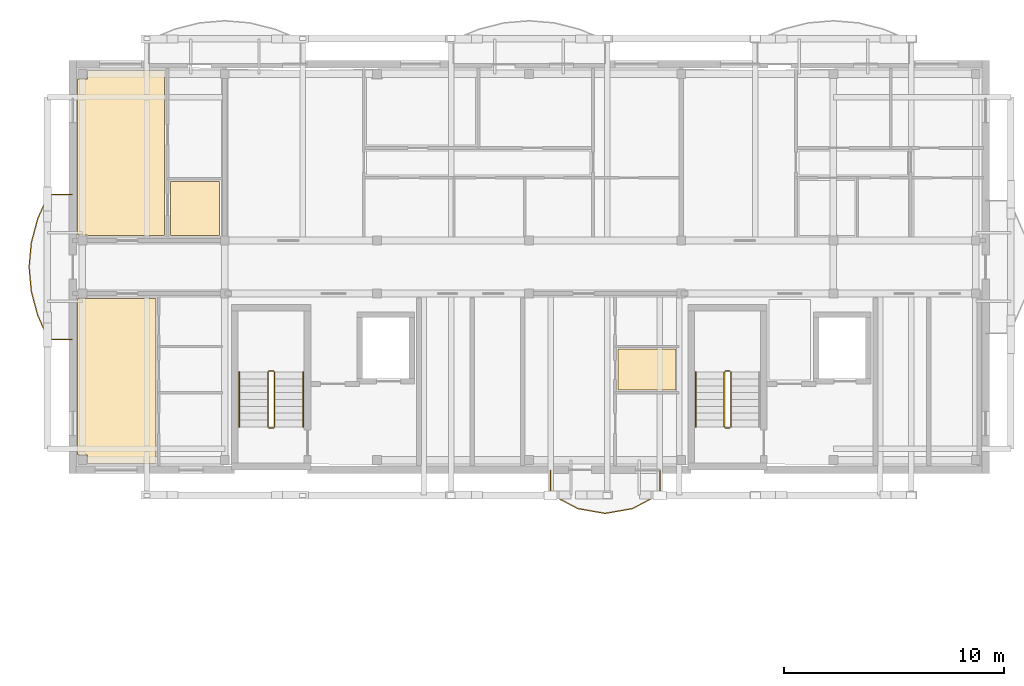
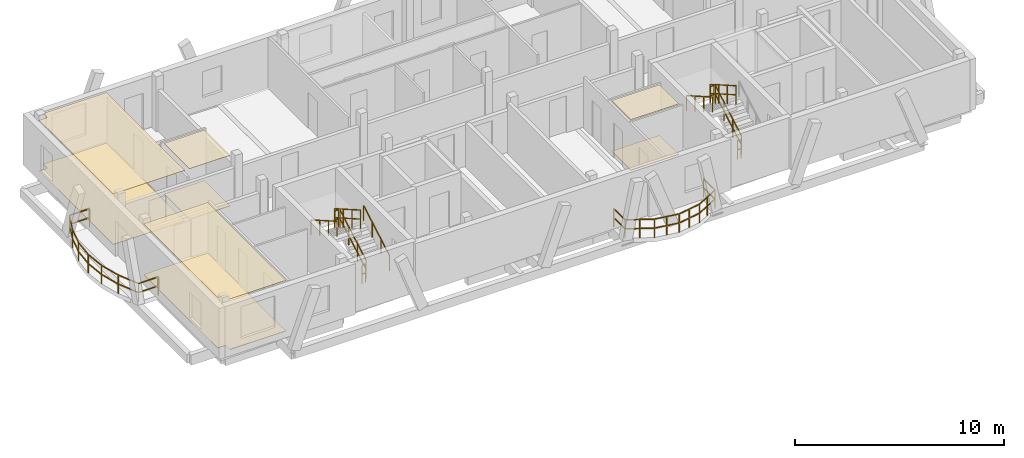
# One storey, part 20 of 21: 13 railings, 8 coverings.
"""IFC4 building model written with IfcOpenShell, lengths in metres."""

from ifc_helpers import new_model, si_unit, direction, frame, origin, origin_2d, place, context, subcontext, project, spatial, polyline, rectangle, outline, extrude, material, layer, layer_set, type_object, element, save


model = new_model("IFC4")

# Units and contexts
model_context = context("Model", 3, precision=1e-05, world=origin(), true_north=direction((0.0, 1.0)))
body_context = subcontext(model_context, "Body", "Model", "MODEL_VIEW")
ifc_project = project(units=[si_unit("LENGTHUNIT", "METRE"), si_unit("AREAUNIT", "SQUARE_METRE"), si_unit("VOLUMEUNIT", "CUBIC_METRE"), si_unit("PLANEANGLEUNIT", "RADIAN"), si_unit("MASSUNIT", "GRAM", prefix="KILO")], contexts=[model_context])

# Site, building, storey
site_placement = place(None, origin())
site = spatial("IfcSite", under=ifc_project, at=site_placement, CompositionType="ELEMENT")
building_placement = place(site_placement, origin())
building = spatial("IfcBuilding", under=site, at=building_placement, Name="Zavelmont Quarter", CompositionType="ELEMENT")
storey_placement = place(building_placement, frame((0.0, 0.0, 36.800048828125)))
storey = spatial("IfcBuildingStorey", under=building, at=storey_placement, Name="L11", CompositionType="ELEMENT", Elevation=36.800048828125)

# Coverings
ifc_material_1 = material(Name="Perforated acoustic gypsum board")
ifc_layer_1 = layer(ifc_material_1, 0.02490234375)
ifc_layer_set_1 = layer_set([ifc_layer_1], Name="Perforated acoustic gypsum board")
covering_type_1 = type_object("IfcCoveringType", Name="CV-CL01", PredefinedType="CEILING", material=ifc_layer_set_1)
covering_1_placement = place(storey_placement, frame((0.0, 0.0, 2.945068359375)))
element("IfcCovering", 1, at=covering_1_placement, inside=storey, type_object=covering_type_1, Name="L11 Residents Study Lounge acoustic ceiling", PredefinedType="CEILING", context=body_context, shape_type="SweptSolid", body=[
    extrude(outline(polyline([(0.22998046875, 115.320068359375), (0.679931640625, 115.320068359375), (0.679931640625, 115.719970703125), (4.169921875, 115.719970703125), (4.169921875, 108.22998046875), (0.679931640625, 108.22998046875), (0.679931640625, 108.239990234375), (0.22998046875, 108.239990234375), (0.22998046875, 115.320068359375)])), origin(), (0.0, 0.0, 1.0), 0.02490234375),
])
covering_2_placement = place(storey_placement, frame((0.0, 0.0, 2.945068359375)))
element("IfcCovering", 2, at=covering_2_placement, inside=storey, type_object=covering_type_1, Name="L11 Living Dining acoustic ceiling", PredefinedType="CEILING", context=body_context, shape_type="SweptSolid", body=[
    extrude(outline(polyline([(0.22998046875, 105.360107421875), (0.679931640625, 105.360107421875), (0.679931640625, 105.3701171875), (3.77001953125, 105.3701171875), (3.77001953125, 97.8798828125), (0.679931640625, 97.8798828125), (0.679931640625, 98.280029296875), (0.22998046875, 98.280029296875), (0.22998046875, 105.360107421875)])), origin(), (0.0, 0.0, 1.0), 0.02490234375),
])
ifc_material_2 = material(Name="Moisture-resistant painted gypsum ceiling")
ifc_layer_2 = layer(ifc_material_2, 0.02001953125)
ifc_layer_set_2 = layer_set([ifc_layer_2], Name="Moisture-resistant painted gypsum ceiling")
covering_type_2 = type_object("IfcCoveringType", Name="CV-CL04", PredefinedType="CEILING", material=ifc_layer_set_2)
covering_3_placement = place(storey_placement, frame((0.0, 0.0, 2.949951171875)))
element("IfcCovering", 3, at=covering_3_placement, inside=storey, type_object=covering_type_2, Name="L11 Accessible Toilet acoustic ceiling", PredefinedType="CEILING", context=body_context, shape_type="SweptSolid", body=[
    extrude(outline(polyline([(4.429931640625, 110.669921875), (6.669921875, 110.669921875), (6.669921875, 108.239990234375), (6.659912109375, 108.239990234375), (6.659912109375, 108.22998046875), (4.429931640625, 108.22998046875), (4.429931640625, 110.669921875)])), origin(), (0.0, 0.0, 1.0), 0.02001953125),
])
covering_4_placement = place(storey_placement, frame((0.0, 0.0, 2.949951171875)))
element("IfcCovering", 4, at=covering_4_placement, inside=storey, type_object=covering_type_2, Name="L11 Bathroom acoustic ceiling", PredefinedType="CEILING", context=body_context, shape_type="SweptSolid", body=[
    extrude(outline(polyline([(24.72998046875, 103.070068359375), (27.3701171875, 103.070068359375), (27.3701171875, 101.22998046875), (24.72998046875, 101.22998046875), (24.72998046875, 103.070068359375)])), origin(), (0.0, 0.0, 1.0), 0.02001953125),
])
ifc_material_3 = material(Name="Engineered European oak parquet")
ifc_layer_3 = layer(ifc_material_3, 0.02197265625)
ifc_layer_set_3 = layer_set([ifc_layer_3], Name="Engineered European oak parquet")
covering_type_3 = type_object("IfcCoveringType", Name="CV-FL01", PredefinedType="FLOORING", material=ifc_layer_set_3)
covering_5_placement = place(storey_placement, origin())
element("IfcCovering", 5, at=covering_5_placement, inside=storey, type_object=covering_type_3, Name="L11 Residents Study Lounge floor finish", PredefinedType="FLOORING", context=body_context, shape_type="SweptSolid", body=[
    extrude(outline(polyline([(0.22998046875, 115.320068359375), (0.679931640625, 115.320068359375), (0.679931640625, 115.719970703125), (4.169921875, 115.719970703125), (4.169921875, 108.22998046875), (0.679931640625, 108.22998046875), (0.679931640625, 108.239990234375), (0.22998046875, 108.239990234375), (0.22998046875, 115.320068359375)])), origin(), (0.0, 0.0, 1.0), 0.02197265625),
])
covering_6_placement = place(storey_placement, origin())
element("IfcCovering", 6, at=covering_6_placement, inside=storey, type_object=covering_type_3, Name="L11 Living Dining floor finish", PredefinedType="FLOORING", context=body_context, shape_type="SweptSolid", body=[
    extrude(outline(polyline([(0.22998046875, 105.360107421875), (0.679931640625, 105.360107421875), (0.679931640625, 105.3701171875), (3.77001953125, 105.3701171875), (3.77001953125, 97.8798828125), (0.679931640625, 97.8798828125), (0.679931640625, 98.280029296875), (0.22998046875, 98.280029296875), (0.22998046875, 105.360107421875)])), origin(), (0.0, 0.0, 1.0), 0.02197265625),
])
ifc_material_4 = material(Name="Slip-resistant porcelain tile")
ifc_layer_4 = layer(ifc_material_4, 0.02587890625)
ifc_layer_set_4 = layer_set([ifc_layer_4], Name="Slip-resistant porcelain tile")
covering_type_4 = type_object("IfcCoveringType", Name="CV-FL04", PredefinedType="FLOORING", material=ifc_layer_set_4)
covering_7_placement = place(storey_placement, origin())
element("IfcCovering", 7, at=covering_7_placement, inside=storey, type_object=covering_type_4, Name="L11 Accessible Toilet floor finish", PredefinedType="FLOORING", context=body_context, shape_type="SweptSolid", body=[
    extrude(outline(polyline([(4.429931640625, 110.669921875), (6.669921875, 110.669921875), (6.669921875, 108.239990234375), (6.659912109375, 108.239990234375), (6.659912109375, 108.22998046875), (4.429931640625, 108.22998046875), (4.429931640625, 110.669921875)])), origin(), (0.0, 0.0, 1.0), 0.02587890625),
])
covering_8_placement = place(storey_placement, origin())
element("IfcCovering", 8, at=covering_8_placement, inside=storey, type_object=covering_type_4, Name="L11 Bathroom floor finish", PredefinedType="FLOORING", context=body_context, shape_type="SweptSolid", body=[
    extrude(outline(polyline([(24.72998046875, 103.070068359375), (27.3701171875, 103.070068359375), (27.3701171875, 101.22998046875), (24.72998046875, 101.22998046875), (24.72998046875, 103.070068359375)])), origin(), (0.0, 0.0, 1.0), 0.02587890625),
])

# Railings
ifc_material_5 = material(Name="Powder-coated steel and tempered double safety glass", Category="steel")
railing_type_1 = type_object("IfcRailingType", Name="RL-BAL1", PredefinedType="BALUSTRADE", material=ifc_material_5)
railing_1_placement = place(storey_placement, frame((-0.02001953125, 110.080322265625, 0.0)))
element("IfcRailing", 9, at=railing_1_placement, inside=storey, type_object=railing_type_1, Name="L11 Block B curved balcony guard RL-BAL1", PredefinedType="BALUSTRADE", context=body_context, shape_type="SweptSolid", body=[
    extrude(rectangle(XDim=0.048095703125, YDim=0.048095703125, at=origin_2d()), frame((0.0, 0.0, 1.076171875), z_axis=(-1.0, 0.0, 0.0), x_axis=(0.0, -1.0, 0.0)), (0.0, 0.0, 1.0), 1.087646484375),
    extrude(rectangle(XDim=0.048095703125, YDim=0.048095703125, at=origin_2d()), frame((0.0, 0.0, 0.550048828125), z_axis=(-1.0, 0.0, 0.0), x_axis=(0.0, -1.0, 0.0)), (0.0, 0.0, 1.0), 1.087646484375),
    extrude(rectangle(XDim=0.048095703125, YDim=0.048095703125, at=origin_2d()), frame((-1.087646484375, 0.0, 1.076171875), z_axis=(-0.404489594056, -0.914542600594, 0.0), x_axis=(0.914542600594, -0.404489594056, 0.0)), (0.0, 0.0, 1.0), 1.19580078125),
    extrude(rectangle(XDim=0.048095703125, YDim=0.048095703125, at=origin_2d()), frame((-1.087646484375, 0.0, 0.550048828125), z_axis=(-0.404489594056, -0.914542600594, 0.0), x_axis=(0.914542600594, -0.404489594056, 0.0)), (0.0, 0.0, 1.0), 1.19580078125),
    extrude(rectangle(XDim=0.048095703125, YDim=0.048095703125, at=origin_2d()), frame((-1.5712890625, -1.093505859375, 1.076171875), z_axis=(-0.25637298076, -0.966577929986, 0.0), x_axis=(0.966577929986, -0.25637298076, 0.0)), (0.0, 0.0, 1.0), 1.13134765625),
    extrude(rectangle(XDim=0.048095703125, YDim=0.048095703125, at=origin_2d()), frame((-1.5712890625, -1.093505859375, 0.550048828125), z_axis=(-0.25637298076, -0.966577929986, 0.0), x_axis=(0.966577929986, -0.25637298076, 0.0)), (0.0, 0.0, 1.0), 1.13134765625),
    extrude(rectangle(XDim=0.048095703125, YDim=0.048095703125, at=origin_2d()), frame((-1.861328125, -2.18701171875, 1.076171875), z_axis=(-0.088088568098, -0.996112646326, 0.0), x_axis=(0.996112646326, -0.088088568098, 0.0)), (0.0, 0.0, 1.0), 1.097412109375),
    extrude(rectangle(XDim=0.048095703125, YDim=0.048095703125, at=origin_2d()), frame((-1.861328125, -2.18701171875, 0.550048828125), z_axis=(-0.088088568098, -0.996112646326, 0.0), x_axis=(0.996112646326, -0.088088568098, 0.0)), (0.0, 0.0, 1.0), 1.097412109375),
    extrude(rectangle(XDim=0.048095703125, YDim=0.048095703125, at=origin_2d()), frame((-1.9580078125, -3.2802734375, 1.076171875), z_axis=(0.088069053639, -0.996114371842, 0.0), x_axis=(0.996114371842, 0.088069053639, 0.0)), (0.0, 0.0, 1.0), 1.09765625),
    extrude(rectangle(XDim=0.048095703125, YDim=0.048095703125, at=origin_2d()), frame((-1.9580078125, -3.2802734375, 0.550048828125), z_axis=(0.088069053639, -0.996114371842, 0.0), x_axis=(0.996114371842, 0.088069053639, 0.0)), (0.0, 0.0, 1.0), 1.09765625),
    extrude(rectangle(XDim=0.048095703125, YDim=0.048095703125, at=origin_2d()), frame((-1.861328125, -4.373779296875, 1.076171875), z_axis=(0.25637298076, -0.966577929986, 0.0), x_axis=(0.966577929986, 0.25637298076, 0.0)), (0.0, 0.0, 1.0), 1.13134765625),
    extrude(rectangle(XDim=0.048095703125, YDim=0.048095703125, at=origin_2d()), frame((-1.861328125, -4.373779296875, 0.550048828125), z_axis=(0.25637298076, -0.966577929986, 0.0), x_axis=(0.966577929986, 0.25637298076, 0.0)), (0.0, 0.0, 1.0), 1.13134765625),
    extrude(rectangle(XDim=0.048095703125, YDim=0.048095703125, at=origin_2d()), frame((-1.5712890625, -5.46728515625, 1.076171875), z_axis=(0.404565139337, -0.914509184226, 0.0), x_axis=(0.914509184226, 0.404565139337, 0.0)), (0.0, 0.0, 1.0), 1.195556640625),
    extrude(rectangle(XDim=0.048095703125, YDim=0.048095703125, at=origin_2d()), frame((-1.5712890625, -5.46728515625, 0.550048828125), z_axis=(0.404565139337, -0.914509184226, 0.0), x_axis=(0.914509184226, 0.404565139337, 0.0)), (0.0, 0.0, 1.0), 1.195556640625),
    extrude(rectangle(XDim=0.048095703125, YDim=0.048095703125, at=origin_2d()), frame((-1.087646484375, -6.560546875, 1.076171875), z_axis=(1.0, 0.0, 0.0), x_axis=(0.0, 1.0, 0.0)), (0.0, 0.0, 1.0), 1.087646484375),
    extrude(rectangle(XDim=0.048095703125, YDim=0.048095703125, at=origin_2d()), frame((-1.087646484375, -6.560546875, 0.550048828125), z_axis=(1.0, 0.0, 0.0), x_axis=(0.0, 1.0, 0.0)), (0.0, 0.0, 1.0), 1.087646484375),
    extrude(rectangle(XDim=0.0419921875, YDim=0.0419921875, at=origin_2d()), origin(), (0.0, 0.0, 1.0), 1.052001953125),
    extrude(rectangle(XDim=0.0419921875, YDim=0.0419921875, at=origin_2d()), frame((-1.087646484375, 0.0, 0.0)), (0.0, 0.0, 1.0), 1.052001953125),
    extrude(rectangle(XDim=0.0419921875, YDim=0.0419921875, at=origin_2d()), frame((-1.5712890625, -1.093505859375, 0.0)), (0.0, 0.0, 1.0), 1.052001953125),
    extrude(rectangle(XDim=0.0419921875, YDim=0.0419921875, at=origin_2d()), frame((-1.861328125, -2.18701171875, 0.0)), (0.0, 0.0, 1.0), 1.052001953125),
    extrude(rectangle(XDim=0.0419921875, YDim=0.0419921875, at=origin_2d()), frame((-1.9580078125, -3.2802734375, 0.0)), (0.0, 0.0, 1.0), 1.052001953125),
    extrude(rectangle(XDim=0.0419921875, YDim=0.0419921875, at=origin_2d()), frame((-1.861328125, -4.373779296875, 0.0)), (0.0, 0.0, 1.0), 1.052001953125),
    extrude(rectangle(XDim=0.0419921875, YDim=0.0419921875, at=origin_2d()), frame((-1.5712890625, -5.46728515625, 0.0)), (0.0, 0.0, 1.0), 1.052001953125),
    extrude(rectangle(XDim=0.0419921875, YDim=0.0419921875, at=origin_2d()), frame((-1.087646484375, -6.560546875, 0.0)), (0.0, 0.0, 1.0), 1.052001953125),
    extrude(rectangle(XDim=0.0419921875, YDim=0.0419921875, at=origin_2d()), frame((0.0, -6.560546875, 0.0)), (0.0, 0.0, 1.0), 1.052001953125),
])
railing_2_placement = place(storey_placement, frame((21.6708984375, 97.580078125, 0.0)))
element("IfcRailing", 10, at=railing_2_placement, inside=storey, type_object=railing_type_1, Name="L11 Block B curved balcony guard RL-BAL1", PredefinedType="BALUSTRADE", context=body_context, shape_type="SweptSolid", body=[
    extrude(rectangle(XDim=0.048095703125, YDim=0.048095703125, at=origin_2d()), frame((0.0, 0.0, 1.076171875), z_axis=(0.0, -1.0, 0.0), x_axis=(1.0, 0.0, 0.0)), (0.0, 0.0, 1.0), 1.087890625),
    extrude(rectangle(XDim=0.048095703125, YDim=0.048095703125, at=origin_2d()), frame((0.0, 0.0, 0.550048828125), z_axis=(0.0, -1.0, 0.0), x_axis=(1.0, 0.0, 0.0)), (0.0, 0.0, 1.0), 1.087890625),
    extrude(rectangle(XDim=0.048095703125, YDim=0.048095703125, at=origin_2d()), frame((0.0, -1.087890625, 1.076171875), z_axis=(0.884853943346, -0.465868542558, 0.0), x_axis=(0.465868542558, 0.884853943346, 0.0)), (0.0, 0.0, 1.0), 1.40087890625),
    extrude(rectangle(XDim=0.048095703125, YDim=0.048095703125, at=origin_2d()), frame((0.0, -1.087890625, 0.550048828125), z_axis=(0.884853943346, -0.465868542558, 0.0), x_axis=(0.465868542558, 0.884853943346, 0.0)), (0.0, 0.0, 1.0), 1.40087890625),
    extrude(rectangle(XDim=0.048095703125, YDim=0.048095703125, at=origin_2d()), frame((1.239501953125, -1.740478515625, 1.076171875), z_axis=(0.984947175239, -0.17285561023, 0.0), x_axis=(0.17285561023, 0.984947175239, 0.0)), (0.0, 0.0, 1.0), 1.258544921875),
    extrude(rectangle(XDim=0.048095703125, YDim=0.048095703125, at=origin_2d()), frame((1.239501953125, -1.740478515625, 0.550048828125), z_axis=(0.984947175239, -0.17285561023, 0.0), x_axis=(0.17285561023, 0.984947175239, 0.0)), (0.0, 0.0, 1.0), 1.258544921875),
    extrude(rectangle(XDim=0.048095703125, YDim=0.048095703125, at=origin_2d()), frame((2.47900390625, -1.9580078125, 1.076171875), z_axis=(0.984947175239, 0.17285561023, 0.0), x_axis=(-0.17285561023, 0.984947175239, 0.0)), (0.0, 0.0, 1.0), 1.258544921875),
    extrude(rectangle(XDim=0.048095703125, YDim=0.048095703125, at=origin_2d()), frame((2.47900390625, -1.9580078125, 0.550048828125), z_axis=(0.984947175239, 0.17285561023, 0.0), x_axis=(-0.17285561023, 0.984947175239, 0.0)), (0.0, 0.0, 1.0), 1.258544921875),
    extrude(rectangle(XDim=0.048095703125, YDim=0.048095703125, at=origin_2d()), frame((3.718505859375, -1.740478515625, 1.076171875), z_axis=(0.884853943346, 0.465868542558, 0.0), x_axis=(-0.465868542558, 0.884853943346, 0.0)), (0.0, 0.0, 1.0), 1.40087890625),
    extrude(rectangle(XDim=0.048095703125, YDim=0.048095703125, at=origin_2d()), frame((3.718505859375, -1.740478515625, 0.550048828125), z_axis=(0.884853943346, 0.465868542558, 0.0), x_axis=(-0.465868542558, 0.884853943346, 0.0)), (0.0, 0.0, 1.0), 1.40087890625),
    extrude(rectangle(XDim=0.048095703125, YDim=0.048095703125, at=origin_2d()), frame((4.9580078125, -1.087890625, 1.076171875), z_axis=(0.0, 1.0, 0.0), x_axis=(-1.0, 0.0, 0.0)), (0.0, 0.0, 1.0), 1.087890625),
    extrude(rectangle(XDim=0.048095703125, YDim=0.048095703125, at=origin_2d()), frame((4.9580078125, -1.087890625, 0.550048828125), z_axis=(0.0, 1.0, 0.0), x_axis=(-1.0, 0.0, 0.0)), (0.0, 0.0, 1.0), 1.087890625),
    extrude(rectangle(XDim=0.0419921875, YDim=0.0419921875, at=origin_2d()), origin(), (0.0, 0.0, 1.0), 1.052001953125),
    extrude(rectangle(XDim=0.0419921875, YDim=0.0419921875, at=origin_2d()), frame((0.0, -1.087890625, 0.0)), (0.0, 0.0, 1.0), 1.052001953125),
    extrude(rectangle(XDim=0.0419921875, YDim=0.0419921875, at=origin_2d()), frame((0.61962890625, -1.4140625, 0.0)), (0.0, 0.0, 1.0), 1.052001953125),
    extrude(rectangle(XDim=0.0419921875, YDim=0.0419921875, at=origin_2d()), frame((1.239501953125, -1.740478515625, 0.0)), (0.0, 0.0, 1.0), 1.052001953125),
    extrude(rectangle(XDim=0.0419921875, YDim=0.0419921875, at=origin_2d()), frame((1.859375, -1.84912109375, 0.0)), (0.0, 0.0, 1.0), 1.052001953125),
    extrude(rectangle(XDim=0.0419921875, YDim=0.0419921875, at=origin_2d()), frame((2.47900390625, -1.9580078125, 0.0)), (0.0, 0.0, 1.0), 1.052001953125),
    extrude(rectangle(XDim=0.0419921875, YDim=0.0419921875, at=origin_2d()), frame((3.0986328125, -1.84912109375, 0.0)), (0.0, 0.0, 1.0), 1.052001953125),
    extrude(rectangle(XDim=0.0419921875, YDim=0.0419921875, at=origin_2d()), frame((3.718505859375, -1.740478515625, 0.0)), (0.0, 0.0, 1.0), 1.052001953125),
    extrude(rectangle(XDim=0.0419921875, YDim=0.0419921875, at=origin_2d()), frame((4.33837890625, -1.4140625, 0.0)), (0.0, 0.0, 1.0), 1.052001953125),
    extrude(rectangle(XDim=0.0419921875, YDim=0.0419921875, at=origin_2d()), frame((4.9580078125, -1.087890625, 0.0)), (0.0, 0.0, 1.0), 1.052001953125),
    extrude(rectangle(XDim=0.0419921875, YDim=0.0419921875, at=origin_2d()), frame((4.9580078125, 0.0, 0.0)), (0.0, 0.0, 1.0), 1.052001953125),
])
ifc_material_6 = material(Name="Powder-coated steel stair guardrail", Category="steel")
railing_type_2 = type_object("IfcRailingType", Name="RL-GRD1", PredefinedType="GUARDRAIL", material=ifc_material_6)
railing_3_placement = place(storey_placement, frame((9.14990234375, 99.550048828125, 0.177734375)))
element("IfcRailing", 11, at=railing_3_placement, inside=storey, type_object=railing_type_2, Name="L11 ST03 stair guardrail 1", PredefinedType="GUARDRAIL", context=body_context, shape_type="SweptSolid", body=[
    extrude(rectangle(XDim=0.048095703125, YDim=0.048095703125, at=origin_2d()), frame((0.0, 0.0, 1.076171875), z_axis=(0.0, 0.867490628297, 0.497453525283), x_axis=(-1.0, 0.0, 0.0)), (0.0, 0.0, 1.0), 2.85888671875),
    extrude(rectangle(XDim=0.048095703125, YDim=0.048095703125, at=origin_2d()), frame((0.0, 0.0, 0.550048828125), z_axis=(0.0, 0.867490628297, 0.497453525283), x_axis=(-1.0, 0.0, 0.0)), (0.0, 0.0, 1.0), 2.85888671875),
    extrude(rectangle(XDim=0.0419921875, YDim=0.0419921875, at=origin_2d()), origin(), (0.0, 0.0, 1.0), 1.052001953125),
    extrude(rectangle(XDim=0.0419921875, YDim=0.0419921875, at=origin_2d()), frame((0.0, 0.82666015625, 0.47412109375)), (0.0, 0.0, 1.0), 1.052001953125),
    extrude(rectangle(XDim=0.0419921875, YDim=0.0419921875, at=origin_2d()), frame((0.0, 1.6533203125, 0.947998046875)), (0.0, 0.0, 1.0), 1.052001953125),
    extrude(rectangle(XDim=0.0419921875, YDim=0.0419921875, at=origin_2d()), frame((0.0, 2.47998046875, 1.422119140625)), (0.0, 0.0, 1.0), 1.052001953125),
])
railing_4_placement = place(storey_placement, frame((9.10009765625, 102.080078125, 1.599853515625)))
element("IfcRailing", 12, at=railing_4_placement, inside=storey, type_object=railing_type_2, Name="L11 ST03 stair guardrail 2", PredefinedType="GUARDRAIL", context=body_context, shape_type="SweptSolid", body=[
    extrude(rectangle(XDim=0.048095703125, YDim=0.048095703125, at=origin_2d()), frame((0.0, 0.0, 1.076171875), z_axis=(-1.0, 0.0, 0.0), x_axis=(0.0, -1.0, 0.0)), (0.0, 0.0, 1.0), 0.2001953125),
    extrude(rectangle(XDim=0.048095703125, YDim=0.048095703125, at=origin_2d()), frame((0.0, 0.0, 0.550048828125), z_axis=(-1.0, 0.0, 0.0), x_axis=(0.0, -1.0, 0.0)), (0.0, 0.0, 1.0), 0.2001953125),
    extrude(rectangle(XDim=0.0419921875, YDim=0.0419921875, at=origin_2d()), origin(), (0.0, 0.0, 1.0), 1.052001953125),
    extrude(rectangle(XDim=0.0419921875, YDim=0.0419921875, at=origin_2d()), frame((-0.2001953125, 0.0, 0.0)), (0.0, 0.0, 1.0), 1.052001953125),
])
railing_5_placement = place(storey_placement, frame((8.85009765625, 102.030029296875, 1.77783203125)))
element("IfcRailing", 13, at=railing_5_placement, inside=storey, type_object=railing_type_2, Name="L11 ST03 stair guardrail 3", PredefinedType="GUARDRAIL", context=body_context, shape_type="SweptSolid", body=[
    extrude(rectangle(XDim=0.048095703125, YDim=0.048095703125, at=origin_2d()), frame((0.0, 0.0, 1.076171875), z_axis=(0.0, -0.867490628297, 0.497453525283), x_axis=(1.0, 0.0, 0.0)), (0.0, 0.0, 1.0), 2.85888671875),
    extrude(rectangle(XDim=0.048095703125, YDim=0.048095703125, at=origin_2d()), frame((0.0, 0.0, 0.550048828125), z_axis=(0.0, -0.867490628297, 0.497453525283), x_axis=(1.0, 0.0, 0.0)), (0.0, 0.0, 1.0), 2.85888671875),
    extrude(rectangle(XDim=0.0419921875, YDim=0.0419921875, at=origin_2d()), origin(), (0.0, 0.0, 1.0), 1.052001953125),
    extrude(rectangle(XDim=0.0419921875, YDim=0.0419921875, at=origin_2d()), frame((0.0, -0.82666015625, 0.47412109375)), (0.0, 0.0, 1.0), 1.052001953125),
    extrude(rectangle(XDim=0.0419921875, YDim=0.0419921875, at=origin_2d()), frame((0.0, -1.6533203125, 0.947998046875)), (0.0, 0.0, 1.0), 1.052001953125),
    extrude(rectangle(XDim=0.0419921875, YDim=0.0419921875, at=origin_2d()), frame((0.0, -2.47998046875, 1.422119140625)), (0.0, 0.0, 1.0), 1.052001953125),
])
railing_6_placement = place(storey_placement, frame((9.10009765625, 99.5, 0.0)))
element("IfcRailing", 14, at=railing_6_placement, inside=storey, type_object=railing_type_2, Name="L11 ST03 stair guardrail 4", PredefinedType="GUARDRAIL", context=body_context, shape_type="SweptSolid", body=[
    extrude(rectangle(XDim=0.048095703125, YDim=0.048095703125, at=origin_2d()), frame((0.0, 0.0, 1.076171875), z_axis=(-1.0, 0.0, 0.0), x_axis=(0.0, -1.0, 0.0)), (0.0, 0.0, 1.0), 0.2001953125),
    extrude(rectangle(XDim=0.048095703125, YDim=0.048095703125, at=origin_2d()), frame((0.0, 0.0, 0.550048828125), z_axis=(-1.0, 0.0, 0.0), x_axis=(0.0, -1.0, 0.0)), (0.0, 0.0, 1.0), 0.2001953125),
    extrude(rectangle(XDim=0.0419921875, YDim=0.0419921875, at=origin_2d()), origin(), (0.0, 0.0, 1.0), 1.052001953125),
    extrude(rectangle(XDim=0.0419921875, YDim=0.0419921875, at=origin_2d()), frame((-0.2001953125, 0.0, 0.0)), (0.0, 0.0, 1.0), 1.052001953125),
])
railing_7_placement = place(storey_placement, frame((29.85009765625, 99.550048828125, 0.177734375)))
element("IfcRailing", 15, at=railing_7_placement, inside=storey, type_object=railing_type_2, Name="L11 ST04 stair guardrail 1", PredefinedType="GUARDRAIL", context=body_context, shape_type="SweptSolid", body=[
    extrude(rectangle(XDim=0.048095703125, YDim=0.048095703125, at=origin_2d()), frame((0.0, 0.0, 1.076171875), z_axis=(0.0, 0.867490628297, 0.497453525283), x_axis=(-1.0, 0.0, 0.0)), (0.0, 0.0, 1.0), 2.85888671875),
    extrude(rectangle(XDim=0.048095703125, YDim=0.048095703125, at=origin_2d()), frame((0.0, 0.0, 0.550048828125), z_axis=(0.0, 0.867490628297, 0.497453525283), x_axis=(-1.0, 0.0, 0.0)), (0.0, 0.0, 1.0), 2.85888671875),
    extrude(rectangle(XDim=0.0419921875, YDim=0.0419921875, at=origin_2d()), origin(), (0.0, 0.0, 1.0), 1.052001953125),
    extrude(rectangle(XDim=0.0419921875, YDim=0.0419921875, at=origin_2d()), frame((0.0, 0.82666015625, 0.47412109375)), (0.0, 0.0, 1.0), 1.052001953125),
    extrude(rectangle(XDim=0.0419921875, YDim=0.0419921875, at=origin_2d()), frame((0.0, 1.6533203125, 0.947998046875)), (0.0, 0.0, 1.0), 1.052001953125),
    extrude(rectangle(XDim=0.0419921875, YDim=0.0419921875, at=origin_2d()), frame((0.0, 2.47998046875, 1.422119140625)), (0.0, 0.0, 1.0), 1.052001953125),
])
railing_8_placement = place(storey_placement, frame((29.800048828125, 102.080078125, 1.599853515625)))
element("IfcRailing", 16, at=railing_8_placement, inside=storey, type_object=railing_type_2, Name="L11 ST04 stair guardrail 2", PredefinedType="GUARDRAIL", context=body_context, shape_type="SweptSolid", body=[
    extrude(rectangle(XDim=0.048095703125, YDim=0.048095703125, at=origin_2d()), frame((0.0, 0.0, 1.076171875), z_axis=(-1.0, 0.0, 0.0), x_axis=(0.0, -1.0, 0.0)), (0.0, 0.0, 1.0), 0.199951171875),
    extrude(rectangle(XDim=0.048095703125, YDim=0.048095703125, at=origin_2d()), frame((0.0, 0.0, 0.550048828125), z_axis=(-1.0, 0.0, 0.0), x_axis=(0.0, -1.0, 0.0)), (0.0, 0.0, 1.0), 0.199951171875),
    extrude(rectangle(XDim=0.0419921875, YDim=0.0419921875, at=origin_2d()), origin(), (0.0, 0.0, 1.0), 1.052001953125),
    extrude(rectangle(XDim=0.0419921875, YDim=0.0419921875, at=origin_2d()), frame((-0.199951171875, 0.0, 0.0)), (0.0, 0.0, 1.0), 1.052001953125),
])
railing_9_placement = place(storey_placement, frame((29.550048828125, 102.030029296875, 1.77783203125)))
element("IfcRailing", 17, at=railing_9_placement, inside=storey, type_object=railing_type_2, Name="L11 ST04 stair guardrail 3", PredefinedType="GUARDRAIL", context=body_context, shape_type="SweptSolid", body=[
    extrude(rectangle(XDim=0.048095703125, YDim=0.048095703125, at=origin_2d()), frame((0.0, 0.0, 1.076171875), z_axis=(0.0, -0.867490628297, 0.497453525283), x_axis=(1.0, 0.0, 0.0)), (0.0, 0.0, 1.0), 2.85888671875),
    extrude(rectangle(XDim=0.048095703125, YDim=0.048095703125, at=origin_2d()), frame((0.0, 0.0, 0.550048828125), z_axis=(0.0, -0.867490628297, 0.497453525283), x_axis=(1.0, 0.0, 0.0)), (0.0, 0.0, 1.0), 2.85888671875),
    extrude(rectangle(XDim=0.0419921875, YDim=0.0419921875, at=origin_2d()), origin(), (0.0, 0.0, 1.0), 1.052001953125),
    extrude(rectangle(XDim=0.0419921875, YDim=0.0419921875, at=origin_2d()), frame((0.0, -0.82666015625, 0.47412109375)), (0.0, 0.0, 1.0), 1.052001953125),
    extrude(rectangle(XDim=0.0419921875, YDim=0.0419921875, at=origin_2d()), frame((0.0, -1.6533203125, 0.947998046875)), (0.0, 0.0, 1.0), 1.052001953125),
    extrude(rectangle(XDim=0.0419921875, YDim=0.0419921875, at=origin_2d()), frame((0.0, -2.47998046875, 1.422119140625)), (0.0, 0.0, 1.0), 1.052001953125),
])
railing_10_placement = place(storey_placement, frame((29.800048828125, 99.5, 0.0)))
element("IfcRailing", 18, at=railing_10_placement, inside=storey, type_object=railing_type_2, Name="L11 ST04 stair guardrail 4", PredefinedType="GUARDRAIL", context=body_context, shape_type="SweptSolid", body=[
    extrude(rectangle(XDim=0.048095703125, YDim=0.048095703125, at=origin_2d()), frame((0.0, 0.0, 1.076171875), z_axis=(-1.0, 0.0, 0.0), x_axis=(0.0, -1.0, 0.0)), (0.0, 0.0, 1.0), 0.199951171875),
    extrude(rectangle(XDim=0.048095703125, YDim=0.048095703125, at=origin_2d()), frame((0.0, 0.0, 0.550048828125), z_axis=(-1.0, 0.0, 0.0), x_axis=(0.0, -1.0, 0.0)), (0.0, 0.0, 1.0), 0.199951171875),
    extrude(rectangle(XDim=0.0419921875, YDim=0.0419921875, at=origin_2d()), origin(), (0.0, 0.0, 1.0), 1.052001953125),
    extrude(rectangle(XDim=0.0419921875, YDim=0.0419921875, at=origin_2d()), frame((-0.199951171875, 0.0, 0.0)), (0.0, 0.0, 1.0), 1.052001953125),
])
ifc_material_7 = material(Name="Brushed stainless-steel wall handrail", Category="steel")
railing_type_3 = type_object("IfcRailingType", Name="RL-HND1", PredefinedType="HANDRAIL", material=ifc_material_7)
railing_11_placement = place(storey_placement, frame((10.449951171875, 99.550048828125, 0.177734375)))
element("IfcRailing", 19, at=railing_11_placement, inside=storey, type_object=railing_type_3, Name="L11 ST03 stair handrail 1", PredefinedType="HANDRAIL", context=body_context, shape_type="SweptSolid", body=[
    extrude(rectangle(XDim=0.048095703125, YDim=0.048095703125, at=origin_2d()), frame((0.0, 0.0, 0.8759765625), z_axis=(0.0, 0.867490628297, 0.497453525283), x_axis=(-1.0, 0.0, 0.0)), (0.0, 0.0, 1.0), 2.85888671875),
    extrude(rectangle(XDim=0.0419921875, YDim=0.0419921875, at=origin_2d()), origin(), (0.0, 0.0, 1.0), 0.851806640625),
    extrude(rectangle(XDim=0.0419921875, YDim=0.0419921875, at=origin_2d()), frame((0.0, 0.82666015625, 0.47412109375)), (0.0, 0.0, 1.0), 0.851806640625),
    extrude(rectangle(XDim=0.0419921875, YDim=0.0419921875, at=origin_2d()), frame((0.0, 1.6533203125, 0.947998046875)), (0.0, 0.0, 1.0), 0.851806640625),
    extrude(rectangle(XDim=0.0419921875, YDim=0.0419921875, at=origin_2d()), frame((0.0, 2.47998046875, 1.422119140625)), (0.0, 0.0, 1.0), 0.851806640625),
])
for number, where, name in (
    (20, (7.550048828125, 102.030029296875, 1.77783203125), "L11 ST03 stair handrail 2"),
    (21, (28.25, 102.030029296875, 1.77783203125), "L11 ST04 stair handrail 2"),
):
    element("IfcRailing", number, at=place(storey_placement, frame(where)), inside=storey, type_object=railing_type_3, Name=name, PredefinedType="HANDRAIL", context=body_context, shape_type="SweptSolid", body=[
        extrude(rectangle(XDim=0.048095703125, YDim=0.048095703125, at=origin_2d()), frame((0.0, 0.0, 0.8759765625), z_axis=(0.0, -0.867490628297, 0.497453525283), x_axis=(1.0, 0.0, 0.0)), (0.0, 0.0, 1.0), 2.85888671875),
        extrude(rectangle(XDim=0.0419921875, YDim=0.0419921875, at=origin_2d()), origin(), (0.0, 0.0, 1.0), 0.851806640625),
        extrude(rectangle(XDim=0.0419921875, YDim=0.0419921875, at=origin_2d()), frame((0.0, -0.82666015625, 0.47412109375)), (0.0, 0.0, 1.0), 0.851806640625),
        extrude(rectangle(XDim=0.0419921875, YDim=0.0419921875, at=origin_2d()), frame((0.0, -1.6533203125, 0.947998046875)), (0.0, 0.0, 1.0), 0.851806640625),
        extrude(rectangle(XDim=0.0419921875, YDim=0.0419921875, at=origin_2d()), frame((0.0, -2.47998046875, 1.422119140625)), (0.0, 0.0, 1.0), 0.851806640625),
    ])

save(model, "model.ifc")
